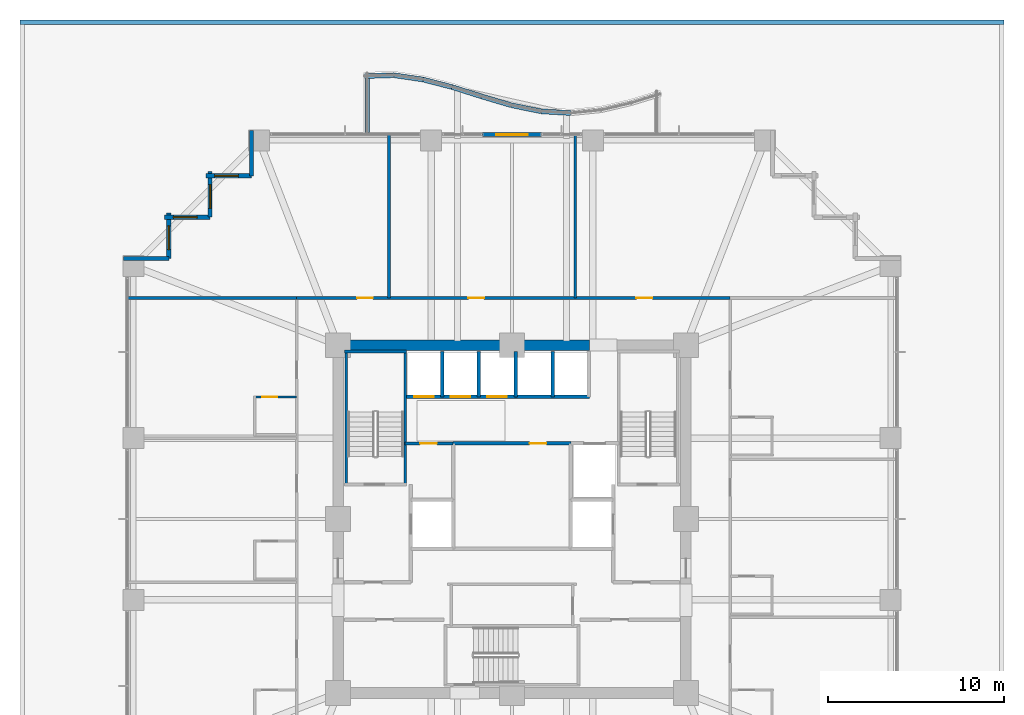
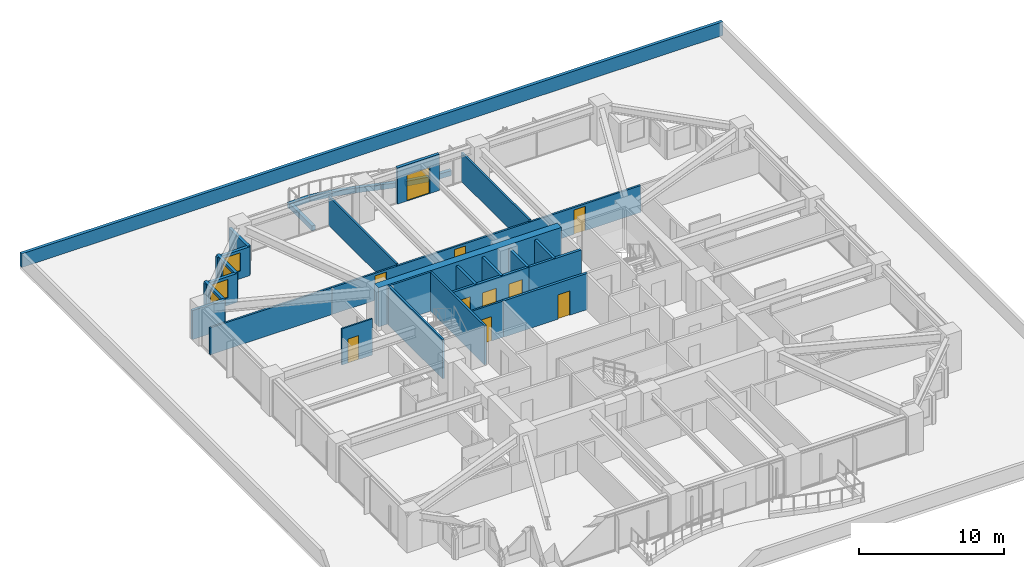
# One storey, part 33 of 36: 33 walls, 10 doors, 4 windows, 14 openings.
"""IFC4 building model written with IfcOpenShell, lengths in metres."""

import ifcopenshell
import ifcopenshell.guid

model = None  # the IFC model being written
_history = None  # IfcOwnerHistory: only IFC2X3 demands one
_inside = {}  # id of a spatial element -> (the spatial element, [elements in it])
_under = {}  # id of a project, library or spatial element -> (it, [spatial elements below it])
_declared = {}  # id of a project -> (the project, [libraries it declares])
_typed = {}  # id of a type object -> (the type object, [elements of that type])
_made_of = {}  # id of a material, layer set ... -> (it, [elements and type objects made of it])


def new_model(schema):
    """Start an empty IFC model of exactly this schema.

    Asked for "IFC4X3", IfcOpenShell would pick the latest addendum, in which some entities
    have other attributes; the version numbers below select the first issue.
    IFC2X3 requires an IfcOwnerHistory on every rooted entity: one is made here for all.
    """
    global model, _history
    if schema == "IFC4X3":
        model = ifcopenshell.file(schema_version=(4, 3, 0, 0))
    else:
        model = ifcopenshell.file(schema=schema)
    _inside.clear()
    _under.clear()
    _declared.clear()
    _typed.clear()
    _made_of.clear()
    _history = None
    if model.schema == "IFC2X3":
        org = make("IfcOrganization", Name="unknown")
        user = make(
            "IfcPersonAndOrganization",
            ThePerson=make("IfcPerson", FamilyName="unknown"),
            TheOrganization=org,
        )
        app = make(
            "IfcApplication",
            ApplicationDeveloper=org,
            Version="unknown",
            ApplicationFullName="unknown",
            ApplicationIdentifier="unknown",
        )
        _history = make(
            "IfcOwnerHistory",
            OwningUser=user,
            OwningApplication=app,
            ChangeAction="ADDED",
            CreationDate=0,
        )
    return model


def make(cls, **values):
    """One entity of the class cls with the attributes given. An attribute that is None is left unset."""
    return model.create_entity(
        cls, **{name: value for name, value in values.items() if value is not None}
    )


def rooted(cls, **values):
    """An entity with a GlobalId (a new one), such as an element, a storey or a relation."""
    return make(cls, GlobalId=ifcopenshell.guid.new(), OwnerHistory=_history, **values)


def si_unit(unit_type, name, prefix=None):
    """IfcSIUnit, for example si_unit("LENGTHUNIT", "METRE", prefix="MILLI")."""
    return make("IfcSIUnit", UnitType=unit_type, Prefix=prefix, Name=name)


def assignment(units):
    """IfcUnitAssignment: the units of a project."""
    return None if units is None else make("IfcUnitAssignment", Units=units)


def point(xyz):
    """IfcCartesianPoint."""
    return None if xyz is None else make("IfcCartesianPoint", Coordinates=xyz)


def direction(xyz):
    """IfcDirection."""
    return None if xyz is None else make("IfcDirection", DirectionRatios=xyz)


def frame(location, z_axis=None, x_axis=None):
    """IfcAxis2Placement3D, a coordinate frame: its origin and axes. An axis left out is left unset."""
    return make(
        "IfcAxis2Placement3D",
        Location=point(location),
        Axis=direction(z_axis),
        RefDirection=direction(x_axis),
    )


def frame_2d(location, x_axis=None):
    """IfcAxis2Placement2D, a coordinate frame in the plane: its origin and x axis."""
    return make(
        "IfcAxis2Placement2D", Location=point(location), RefDirection=direction(x_axis)
    )


def origin():
    """The frame at (0, 0, 0) with its axes left unset."""
    return frame((0.0, 0.0, 0.0))


def place(relative_to, where):
    """IfcLocalPlacement: puts the frame where relative to a parent placement (None: the world)."""
    return make(
        "IfcLocalPlacement", PlacementRelTo=relative_to, RelativePlacement=where
    )


def context(
    kind, dimensions, precision=None, world=None, true_north=None, identifier=None
):
    """IfcGeometricRepresentationContext, for example the 3D "Model" context."""
    return make(
        "IfcGeometricRepresentationContext",
        ContextIdentifier=identifier,
        ContextType=kind,
        CoordinateSpaceDimension=dimensions,
        Precision=precision,
        WorldCoordinateSystem=world,
        TrueNorth=true_north,
    )


def subcontext(parent, identifier, kind, view, scale=None):
    """IfcGeometricRepresentationSubContext, for example "Body" below "Model"."""
    return make(
        "IfcGeometricRepresentationSubContext",
        ContextIdentifier=identifier,
        ContextType=kind,
        ParentContext=parent,
        TargetScale=scale,
        TargetView=view,
    )


def project(units=None, contexts=None):
    """IfcProject with its units and contexts."""
    return rooted(
        "IfcProject",
        Name="project",
        RepresentationContexts=contexts,
        UnitsInContext=assignment(units),
    )


def spatial(cls, under=None, at=None, **own):
    """A site, building, storey or space (cls), placed at a placement, below another one or the project."""
    s = rooted(cls, ObjectPlacement=at, **own)
    if under is not None:
        _under.setdefault(under.id(), (under, []))[1].append(s)
    return s


def profile(cls, at=None, kind="AREA", **sizes):
    """A parametric profile (cls). Its sizes go by their IFC names, for example OverallWidth=200.0."""
    return make(cls, ProfileType=kind, Position=at, **sizes)


def rectangle(**sizes):
    """IfcRectangleProfileDef."""
    return profile("IfcRectangleProfileDef", **sizes)


def extrude(swept, where, along, depth):
    """IfcExtrudedAreaSolid: the profile swept, set in the frame where, extruded along a direction by depth."""
    return make(
        "IfcExtrudedAreaSolid",
        SweptArea=swept,
        Position=where,
        ExtrudedDirection=direction(along),
        Depth=depth,
    )


def shape(context_of_items, identifier, shape_type, items):
    """IfcShapeRepresentation: the items that make up one representation, for example the "Body"."""
    return make(
        "IfcShapeRepresentation",
        ContextOfItems=context_of_items,
        RepresentationIdentifier=identifier,
        RepresentationType=shape_type,
        Items=items,
    )


def material(Name=None, Category=None):
    """IfcMaterial."""
    return make("IfcMaterial", Name=Name, Category=Category)


def layer(
    of_material, thickness, ventilated=None, Name=None, Category=None, Priority=None
):
    """IfcMaterialLayer: one layer of a wall or slab, of a material (None: an air gap)."""
    return make(
        "IfcMaterialLayer",
        Material=of_material,
        LayerThickness=thickness,
        IsVentilated=ventilated,
        Name=Name,
        Category=Category,
        Priority=Priority,
    )


def layer_set(layers, Name=None):
    """IfcMaterialLayerSet."""
    return make("IfcMaterialLayerSet", MaterialLayers=layers, LayerSetName=Name)


def made_of(thing, what):
    """Note that an element or type object is made of a material, layer set ...; save() writes the relation."""
    if what is not None:
        _made_of.setdefault(what.id(), (what, []))[1].append(thing)
    return thing


def type_object(cls, material=None, **own):
    """A type object (cls), such as IfcWallType, which elements share."""
    return made_of(rooted(cls, **own), material)


def element(
    cls,
    number,
    at=None,
    inside=None,
    cuts=None,
    type_object=None,
    material=None,
    context=None,
    identifier="Body",
    shape_type=None,
    held_by="IfcProductDefinitionShape",
    body=None,
    shapes=None,
    **own,
):
    """One element of the class cls, such as IfcWall. Its Tag is "e" and its number.

    at: its placement. inside: the storey or other place that contains it. cuts: it is an
    opening in that element (IfcRelVoidsElement). A single representation is given by context,
    identifier, shape_type and body (its items); several are given by shapes. held_by: the class
    of the entity that holds the representations. save() writes the other relations.
    """
    e = rooted(cls, Tag="e%d" % number, ObjectPlacement=at, **own)
    if body is not None:
        shapes = [shape(context, identifier, shape_type, body)]
    if shapes is not None:
        e.Representation = make(held_by, Representations=shapes)
    if inside is not None:
        _inside.setdefault(inside.id(), (inside, []))[1].append(e)
    if cuts is not None:
        rooted(
            "IfcRelVoidsElement", RelatingBuildingElement=cuts, RelatedOpeningElement=e
        )
    if type_object is not None:
        _typed.setdefault(type_object.id(), (type_object, []))[1].append(e)
    return made_of(e, material)


def fill(opening, filler):
    """IfcRelFillsElement: the door or window that sits in an opening."""
    return rooted(
        "IfcRelFillsElement",
        RelatingOpeningElement=opening,
        RelatedBuildingElement=filler,
    )


def aggregate(whole, parts):
    """IfcRelAggregates: a whole, such as a stair, and the parts it consists of."""
    return rooted("IfcRelAggregates", RelatingObject=whole, RelatedObjects=parts)


def save(model, path):
    """Write the relations noted so far, then the file.

    IfcRelAggregates (storeys below a building ...), IfcRelContainedInSpatialStructure (elements
    in a storey), IfcRelDefinesByType, IfcRelAssociatesMaterial and IfcRelDeclares: one each for
    every whole, place, type object, material and project.
    """
    for whole, parts in _under.values():
        aggregate(whole, parts)
    for where, things in _inside.values():
        rooted(
            "IfcRelContainedInSpatialStructure",
            RelatedElements=things,
            RelatingStructure=where,
        )
    for kind, things in _typed.values():
        rooted("IfcRelDefinesByType", RelatedObjects=things, RelatingType=kind)
    for what, things in _made_of.values():
        rooted("IfcRelAssociatesMaterial", RelatedObjects=things, RelatingMaterial=what)
    for by, libraries in _declared.values():
        rooted("IfcRelDeclares", RelatingContext=by, RelatedDefinitions=libraries)
    model.write(path)


model = new_model("IFC4")

# Units and contexts
model_context = context("Model", 3, precision=1e-05, world=origin(), true_north=direction((0.0, 1.0)))
body_context = subcontext(model_context, "Body", "Model", "MODEL_VIEW")
ifc_project = project(units=[si_unit("LENGTHUNIT", "METRE"), si_unit("AREAUNIT", "SQUARE_METRE"), si_unit("VOLUMEUNIT", "CUBIC_METRE"), si_unit("PLANEANGLEUNIT", "RADIAN"), si_unit("MASSUNIT", "GRAM", prefix="KILO")], contexts=[model_context])

# Site, building, storey
site_placement = place(None, origin())
site = spatial("IfcSite", under=ifc_project, at=site_placement, CompositionType="ELEMENT")
building_placement = place(site_placement, origin())
building = spatial("IfcBuilding", under=site, at=building_placement, Name="Kolvaren Belvedere", CompositionType="ELEMENT")
storey_placement = place(building_placement, frame((0.0, 0.0, 23.800048828125)))
storey = spatial("IfcBuildingStorey", under=building, at=storey_placement, Name="L06", CompositionType="ELEMENT", Elevation=23.800048828125)

# Walls
ifc_material_1 = material(Name="Concrete C60/75", Category="concrete")
ifc_layer_1 = layer(ifc_material_1, 0.60009765625)
ifc_layer_set_1 = layer_set([ifc_layer_1], Name="Concrete C60/75")
wall_type_1 = type_object("IfcWallType", Name="CW-CORE-600", PredefinedType="SHEAR", material=ifc_layer_set_1)
wall_1_placement = place(storey_placement, frame((-10.199951171875, 9.89990234375, 0.0), z_axis=(0.0, 0.0, 1.0), x_axis=(1.0, 0.0, 0.0)))
element("IfcWall", 1, at=wall_1_placement, inside=storey, type_object=wall_type_1, Name="L06 North Core Shear Wall 1", PredefinedType="SHEAR", context=body_context, shape_type="SweptSolid", body=[
    extrude(rectangle(XDim=14.619873046875, YDim=0.60009765625, at=frame_2d((7.31005859375, 0.0))), origin(), (0.0, 0.0, 1.0), 3.300048828125),
])
ifc_material_2 = material(Name="Concrete C50/60", Category="concrete")
ifc_layer_2 = layer(ifc_material_2, 0.159912109375)
ifc_layer_set_2 = layer_set([ifc_layer_2], Name="Concrete C50/60")
wall_type_2 = type_object("IfcWallType", Name="CW-STAIR-160", PredefinedType="SHEAR", material=ifc_layer_set_2)
wall_2_placement = place(storey_placement, frame((-9.52001953125, 9.530029296875, 0.0), z_axis=(0.0, 0.0, 1.0), x_axis=(1.0, 0.0, 0.0)))
element("IfcWall", 2, at=wall_2_placement, inside=storey, type_object=wall_type_2, Name="L06 Stair ST-1 North Shear Wall", PredefinedType="SHEAR", context=body_context, shape_type="SweptSolid", body=[
    extrude(rectangle(XDim=3.52001953125, YDim=0.159912109375, at=frame_2d((1.760009765625, 0.0))), origin(), (0.0, 0.0, 1.0), 3.300048828125),
])
for number, where, z_axis, x_axis, name in (
    (3, (-9.429931640625, 1.969970703125, 0.0), (0.0, 0.0, 1.0), (0.0, 1.0, 0.0), "L06 Stair ST-1 West Shear Wall"),
    (4, (-6.080078125, 1.969970703125, 0.0), (0.0, 0.0, 1.0), (0.0, 1.0, 0.0), "L06 Stair ST-1 East Shear Wall"),
):
    element("IfcWall", number, at=place(storey_placement, frame(where, z_axis=z_axis, x_axis=x_axis)), inside=storey, type_object=wall_type_2, Name=name, PredefinedType="SHEAR", context=body_context, shape_type="SweptSolid", body=[
        extrude(rectangle(XDim=7.56005859375, YDim=0.159912109375, at=frame_2d((3.780029296875, 0.0))), origin(), (0.0, 0.0, 1.0), 3.300048828125),
    ])

# Wall, openings, doors
ifc_material_3 = material(Name="Gypsum fire-rated partition assembly", Category="gypsum")
ifc_layer_3 = layer(ifc_material_3, 0.14990234375)
ifc_layer_set_3 = layer_set([ifc_layer_3], Name="Gypsum fire-rated partition assembly")
wall_type_3 = type_object("IfcWallType", Name="WL-CORR-150", PredefinedType="PARTITIONING", material=ifc_layer_set_3)
wall_3_placement = place(storey_placement, frame((-12.260009765625, 12.580078125, 0.0), z_axis=(0.0, 0.0, 1.0), x_axis=(1.0, 0.0, 0.0)))
wall_3 = element("IfcWall", 5, at=wall_3_placement, inside=storey, type_object=wall_type_3, Name="L06 North Corridor Wall", PredefinedType="PARTITIONING", context=body_context, shape_type="SweptSolid", body=[
    extrude(rectangle(XDim=24.679931640625, YDim=0.14990234375, at=frame_2d((12.33984375, 0.0))), origin(), (0.0, 0.0, 1.0), 2.27197265625),
])
opening_1_placement = place(wall_3_placement, frame((3.4443359375, 0.0, 0.0)))
opening_1 = element("IfcOpeningElement", 6, at=opening_1_placement, cuts=wall_3, Name="Opening D-INT90", PredefinedType="OPENING", context=body_context, shape_type="SweptSolid", body=[
    extrude(rectangle(XDim=0.89990234375, YDim=2.06005859375, at=frame_2d((0.449951171875, 1.030029296875))), frame((0.0, 0.0849609375, 0.0), z_axis=(0.0, -1.0, 0.0), x_axis=(1.0, 0.0, 0.0)), (0.0, 0.0, 1.0), 0.169921875),
])
opening_2_placement = place(wall_3_placement, frame((9.780029296875, 0.0, 0.0)))
opening_2 = element("IfcOpeningElement", 7, at=opening_2_placement, cuts=wall_3, Name="Opening D-INT90", PredefinedType="OPENING", context=body_context, shape_type="SweptSolid", body=[
    extrude(rectangle(XDim=0.89990234375, YDim=2.06005859375, at=frame_2d((0.449951171875, 1.030029296875))), frame((0.0, 0.0849609375, 0.0), z_axis=(0.0, -1.0, 0.0), x_axis=(1.0, 0.0, 0.0)), (0.0, 0.0, 1.0), 0.169921875),
])
opening_3_placement = place(wall_3_placement, frame((19.344970703125, 0.0, 0.0)))
opening_3 = element("IfcOpeningElement", 8, at=opening_3_placement, cuts=wall_3, Name="Opening D-INT90", PredefinedType="OPENING", context=body_context, shape_type="SweptSolid", body=[
    extrude(rectangle(XDim=0.89990234375, YDim=2.06005859375, at=frame_2d((0.449951171875, 1.030029296875))), frame((0.0, 0.0849609375, 0.0), z_axis=(0.0, -1.0, 0.0), x_axis=(1.0, 0.0, 0.0)), (0.0, 0.0, 1.0), 0.169921875),
])
ifc_material_4 = material(Name="Stained Pacific white oak", Category="timber")
door_type_1 = type_object("IfcDoorType", Name="DR-INT-900", OperationType="NOTDEFINED", PredefinedType="DOOR", material=ifc_material_4)
door_1_placement = place(opening_1_placement, origin())
door_1 = element("IfcDoor", 9, at=door_1_placement, inside=storey, type_object=door_type_1, Name="L06 Lounge 612 Door", OperationType="SINGLE_SWING_RIGHT", OverallHeight=2.06005859375, OverallWidth=0.89990234375, PredefinedType="DOOR", context=body_context, shape_type="SweptSolid", body=[
    extrude(rectangle(XDim=0.89990234375, YDim=2.06005859375, at=frame_2d((0.449951171875, 1.030029296875))), frame((0.0, 0.02490234375, 0.0), z_axis=(0.0, -1.0, 0.0), x_axis=(1.0, 0.0, 0.0)), (0.0, 0.0, 1.0), 0.050048828125),
])
fill(opening_1, door_1)
door_2_placement = place(opening_2_placement, origin())
door_2 = element("IfcDoor", 10, at=door_2_placement, inside=storey, type_object=door_type_1, Name="L06 Lounge 613 Door", OperationType="SINGLE_SWING_LEFT", OverallHeight=2.06005859375, OverallWidth=0.89990234375, PredefinedType="DOOR", context=body_context, shape_type="SweptSolid", body=[
    extrude(rectangle(XDim=0.89990234375, YDim=2.06005859375, at=frame_2d((0.449951171875, 1.030029296875))), frame((0.0, 0.02490234375, 0.0), z_axis=(0.0, -1.0, 0.0), x_axis=(1.0, 0.0, 0.0)), (0.0, 0.0, 1.0), 0.050048828125),
])
fill(opening_2, door_2)
door_3_placement = place(opening_3_placement, origin())
door_3 = element("IfcDoor", 11, at=door_3_placement, inside=storey, type_object=door_type_1, Name="L06 Lounge 614 Door", OperationType="SINGLE_SWING_RIGHT", OverallHeight=2.06005859375, OverallWidth=0.89990234375, PredefinedType="DOOR", context=body_context, shape_type="SweptSolid", body=[
    extrude(rectangle(XDim=0.89990234375, YDim=2.06005859375, at=frame_2d((0.449951171875, 1.030029296875))), frame((0.0, 0.02490234375, 0.0), z_axis=(0.0, -1.0, 0.0), x_axis=(1.0, 0.0, 0.0)), (0.0, 0.0, 1.0), 0.050048828125),
])
fill(opening_3, door_3)

# Wall, opening, door
ifc_material_5 = material(Name="Insulated pale-metal facade wall assembly", Category="aluminium")
ifc_layer_4 = layer(ifc_material_5, 0.239990234375)
ifc_layer_set_4 = layer_set([ifc_layer_4], Name="Insulated pale-metal facade wall assembly")
wall_type_4 = type_object("IfcWallType", Name="WL-EXT-240", PredefinedType="STANDARD", material=ifc_layer_set_4)
wall_4_placement = place(storey_placement, frame((-1.679931640625, 21.8798828125, 0.0), z_axis=(0.0, 0.0, 1.0), x_axis=(1.0, 0.0, 0.0)))
wall_4 = element("IfcWall", 12, at=wall_4_placement, inside=storey, type_object=wall_type_4, Name="L06 North Terrace Portal Wall", PredefinedType="STANDARD", context=body_context, shape_type="SweptSolid", body=[
    extrude(rectangle(XDim=3.35986328125, YDim=0.239990234375, at=frame_2d((1.679931640625, 0.0))), origin(), (0.0, 0.0, 1.0), 3.06005859375),
])
opening_4_placement = place(wall_4_placement, frame((0.780029296875, 0.0, 0.0)))
opening_4 = element("IfcOpeningElement", 13, at=opening_4_placement, cuts=wall_4, Name="Opening DB-1800", PredefinedType="OPENING", context=body_context, shape_type="SweptSolid", body=[
    extrude(rectangle(XDim=1.800048828125, YDim=2.199951171875, at=frame_2d((0.89990234375, 1.10009765625))), frame((0.0, 0.1298828125, 0.0), z_axis=(0.0, -1.0, 0.0), x_axis=(1.0, 0.0, 0.0)), (0.0, 0.0, 1.0), 0.260009765625),
])
ifc_material_6 = material(Name="Thermally broken pale-metal aluminium & low-iron glass", Category="aluminium")
door_type_2 = type_object("IfcDoorType", Name="DR-BAL-1800", OperationType="DOUBLE_DOOR_SLIDING", PredefinedType="DOOR", material=ifc_material_6)
door_4_placement = place(opening_4_placement, origin())
door_4 = element("IfcDoor", 14, at=door_4_placement, inside=storey, type_object=door_type_2, Name="L06 North Planted Terrace Sliding Door", OperationType="DOUBLE_DOOR_SLIDING", OverallHeight=2.199951171875, OverallWidth=1.800048828125, PredefinedType="DOOR", context=body_context, shape_type="SweptSolid", body=[
    extrude(rectangle(XDim=1.800048828125, YDim=2.199951171875, at=frame_2d((0.89990234375, 1.10009765625))), frame((0.0, 0.02490234375, 0.0), z_axis=(0.0, -1.0, 0.0), x_axis=(1.0, 0.0, 0.0)), (0.0, 0.0, 1.0), 0.050048828125),
])
fill(opening_4, door_4)

# Wall
wall_5_placement = place(storey_placement, frame((-14.830078125, 19.530029296875, 0.0), z_axis=(0.0, 0.0, 1.0), x_axis=(0.0, 1.0, 0.0)))
element("IfcWall", 15, at=wall_5_placement, inside=storey, type_object=wall_type_4, Name="L06 Serrated Corner Facade Wall 16", PredefinedType="STANDARD", context=body_context, shape_type="SweptSolid", body=[
    extrude(rectangle(XDim=2.590087890625, YDim=0.239990234375, at=frame_2d((1.294921875, 0.0))), origin(), (0.0, 0.0, 1.0), 2.43896484375),
])

# Wall, opening, window
wall_6_placement = place(storey_placement, frame((-17.419921875, 19.530029296875, 0.0), z_axis=(0.0, 0.0, 1.0), x_axis=(1.0, 0.0, 0.0)))
wall_6 = element("IfcWall", 16, at=wall_6_placement, inside=storey, type_object=wall_type_4, Name="L06 Serrated Corner Facade Wall 17", PredefinedType="STANDARD", context=body_context, shape_type="SweptSolid", body=[
    extrude(rectangle(XDim=2.58984375, YDim=0.239990234375, at=frame_2d((1.294921875, 0.0))), origin(), (0.0, 0.0, 1.0), 2.43896484375),
])
opening_5_placement = place(wall_6_placement, frame((0.5, 0.0, 0.64990234375)))
opening_5 = element("IfcOpeningElement", 17, at=opening_5_placement, cuts=wall_6, Name="Opening W-1350", PredefinedType="OPENING", context=body_context, shape_type="SweptSolid", body=[
    extrude(rectangle(XDim=1.35009765625, YDim=1.550048828125, at=frame_2d((0.675048828125, 0.77490234375))), frame((0.0, 0.1298828125, 0.0), z_axis=(0.0, -1.0, 0.0), x_axis=(1.0, 0.0, 0.0)), (0.0, 0.0, 1.0), 0.260009765625),
])
ifc_material_7 = material(Name="Low-iron triple insulated glass", Category="glass")
window_type = type_object("IfcWindowType", Name="WN-CORN-1350", PartitioningType="SINGLE_PANEL", PredefinedType="WINDOW", material=ifc_material_7)
window_1_placement = place(opening_5_placement, origin())
window_1 = element("IfcWindow", 18, at=window_1_placement, inside=storey, type_object=window_type, Name="L06 Serrated Corner Vision Window 17", OverallHeight=1.550048828125, OverallWidth=1.35009765625, PartitioningType="SINGLE_PANEL", PredefinedType="WINDOW", context=body_context, shape_type="SweptSolid", body=[
    extrude(rectangle(XDim=1.35009765625, YDim=1.550048828125, at=frame_2d((0.675048828125, 0.77490234375))), frame((0.0, 0.030029296875, 0.0), z_axis=(0.0, -1.0, 0.0), x_axis=(1.0, 0.0, 0.0)), (0.0, 0.0, 1.0), 0.06005859375),
])
fill(opening_5, window_1)

wall_7_placement = place(storey_placement, frame((-17.179931640625, 17.179931640625, 0.0), z_axis=(0.0, 0.0, 1.0), x_axis=(0.0, 1.0, 0.0)))
wall_7 = element("IfcWall", 19, at=wall_7_placement, inside=storey, type_object=wall_type_4, Name="L06 Serrated Corner Facade Wall 18", PredefinedType="STANDARD", context=body_context, shape_type="SweptSolid", body=[
    extrude(rectangle(XDim=2.590087890625, YDim=0.239990234375, at=frame_2d((1.294921875, 0.0))), origin(), (0.0, 0.0, 1.0), 2.43896484375),
])
opening_6_placement = place(wall_7_placement, frame((0.5, 0.0, 0.64990234375)))
opening_6 = element("IfcOpeningElement", 20, at=opening_6_placement, cuts=wall_7, Name="Opening W-1350", PredefinedType="OPENING", context=body_context, shape_type="SweptSolid", body=[
    extrude(rectangle(XDim=1.35009765625, YDim=1.550048828125, at=frame_2d((0.675048828125, 0.77490234375))), frame((0.0, 0.1298828125, 0.0), z_axis=(0.0, -1.0, 0.0), x_axis=(1.0, 0.0, 0.0)), (0.0, 0.0, 1.0), 0.260009765625),
])
window_2_placement = place(opening_6_placement, origin())
window_2 = element("IfcWindow", 21, at=window_2_placement, inside=storey, type_object=window_type, Name="L06 Serrated Corner Vision Window 18", OverallHeight=1.550048828125, OverallWidth=1.35009765625, PartitioningType="SINGLE_PANEL", PredefinedType="WINDOW", context=body_context, shape_type="SweptSolid", body=[
    extrude(rectangle(XDim=1.35009765625, YDim=1.550048828125, at=frame_2d((0.675048828125, 0.77490234375))), frame((0.0, 0.030029296875, 0.0), z_axis=(0.0, -1.0, 0.0), x_axis=(1.0, 0.0, 0.0)), (0.0, 0.0, 1.0), 0.06005859375),
])
fill(opening_6, window_2)

wall_8_placement = place(storey_placement, frame((-19.77001953125, 17.179931640625, 0.0), z_axis=(0.0, 0.0, 1.0), x_axis=(1.0, 0.0, 0.0)))
wall_8 = element("IfcWall", 22, at=wall_8_placement, inside=storey, type_object=wall_type_4, Name="L06 Serrated Corner Facade Wall 19", PredefinedType="STANDARD", context=body_context, shape_type="SweptSolid", body=[
    extrude(rectangle(XDim=2.590087890625, YDim=0.239990234375, at=frame_2d((1.294921875, 0.0))), origin(), (0.0, 0.0, 1.0), 2.43896484375),
])
opening_7_placement = place(wall_8_placement, frame((0.5, 0.0, 0.64990234375)))
opening_7 = element("IfcOpeningElement", 23, at=opening_7_placement, cuts=wall_8, Name="Opening W-1350", PredefinedType="OPENING", context=body_context, shape_type="SweptSolid", body=[
    extrude(rectangle(XDim=1.35009765625, YDim=1.550048828125, at=frame_2d((0.675048828125, 0.77490234375))), frame((0.0, 0.1298828125, 0.0), z_axis=(0.0, -1.0, 0.0), x_axis=(1.0, 0.0, 0.0)), (0.0, 0.0, 1.0), 0.260009765625),
])
window_3_placement = place(opening_7_placement, origin())
window_3 = element("IfcWindow", 24, at=window_3_placement, inside=storey, type_object=window_type, Name="L06 Serrated Corner Vision Window 19", OverallHeight=1.550048828125, OverallWidth=1.35009765625, PartitioningType="SINGLE_PANEL", PredefinedType="WINDOW", context=body_context, shape_type="SweptSolid", body=[
    extrude(rectangle(XDim=1.35009765625, YDim=1.550048828125, at=frame_2d((0.675048828125, 0.77490234375))), frame((0.0, 0.030029296875, 0.0), z_axis=(0.0, -1.0, 0.0), x_axis=(1.0, 0.0, 0.0)), (0.0, 0.0, 1.0), 0.06005859375),
])
fill(opening_7, window_3)

wall_9_placement = place(storey_placement, frame((-19.530029296875, 14.830078125, 0.0), z_axis=(0.0, 0.0, 1.0), x_axis=(0.0, 1.0, 0.0)))
wall_9 = element("IfcWall", 25, at=wall_9_placement, inside=storey, type_object=wall_type_4, Name="L06 Serrated Corner Facade Wall 20", PredefinedType="STANDARD", context=body_context, shape_type="SweptSolid", body=[
    extrude(rectangle(XDim=2.58984375, YDim=0.239990234375, at=frame_2d((1.294921875, 0.0))), origin(), (0.0, 0.0, 1.0), 2.43896484375),
])
opening_8_placement = place(wall_9_placement, frame((0.5, 0.0, 0.64990234375)))
opening_8 = element("IfcOpeningElement", 26, at=opening_8_placement, cuts=wall_9, Name="Opening W-1350", PredefinedType="OPENING", context=body_context, shape_type="SweptSolid", body=[
    extrude(rectangle(XDim=1.35009765625, YDim=1.550048828125, at=frame_2d((0.675048828125, 0.77490234375))), frame((0.0, 0.1298828125, 0.0), z_axis=(0.0, -1.0, 0.0), x_axis=(1.0, 0.0, 0.0)), (0.0, 0.0, 1.0), 0.260009765625),
])
window_4_placement = place(opening_8_placement, origin())
window_4 = element("IfcWindow", 27, at=window_4_placement, inside=storey, type_object=window_type, Name="L06 Serrated Corner Vision Window 20", OverallHeight=1.550048828125, OverallWidth=1.35009765625, PartitioningType="SINGLE_PANEL", PredefinedType="WINDOW", context=body_context, shape_type="SweptSolid", body=[
    extrude(rectangle(XDim=1.35009765625, YDim=1.550048828125, at=frame_2d((0.675048828125, 0.77490234375))), frame((0.0, 0.030029296875, 0.0), z_axis=(0.0, -1.0, 0.0), x_axis=(1.0, 0.0, 0.0)), (0.0, 0.0, 1.0), 0.06005859375),
])
fill(opening_8, window_4)

# Walls
wall_10_placement = place(storey_placement, frame((-22.1201171875, 14.830078125, 0.0), z_axis=(0.0, 0.0, 1.0), x_axis=(1.0, 0.0, 0.0)))
element("IfcWall", 28, at=wall_10_placement, inside=storey, type_object=wall_type_4, Name="L06 Serrated Corner Facade Wall 21", PredefinedType="STANDARD", context=body_context, shape_type="SweptSolid", body=[
    extrude(rectangle(XDim=2.590087890625, YDim=0.239990234375, at=frame_2d((1.294921875, 0.0))), origin(), (0.0, 0.0, 1.0), 2.43896484375),
])
ifc_material_8 = material(Name="Precast concrete C40/50", Category="concrete")
ifc_layer_5 = layer(ifc_material_8, 0.25)
ifc_layer_set_5 = layer_set([ifc_layer_5], Name="Precast concrete C40/50")
wall_type_5 = type_object("IfcWallType", Name="WL-PARAPET-250", PredefinedType="PARAPET", material=ifc_layer_set_5)
wall_11_placement = place(storey_placement, frame((-28.0, 28.27001953125, 0.0), z_axis=(0.0, 0.0, 1.0), x_axis=(1.0, 0.0, 0.0)))
element("IfcWall", 29, at=wall_11_placement, inside=storey, type_object=wall_type_5, Name="L06 Podium Setback Roof Parapet 3", PredefinedType="PARAPET", context=body_context, shape_type="SweptSolid", body=[
    extrude(rectangle(XDim=56.0, YDim=0.25, at=frame_2d((28.0, 0.0))), origin(), (0.0, 0.0, 1.0), 1.14990234375),
])

# Wall, opening, door
ifc_material_9 = material(Name="Gypsum acoustic partition assembly", Category="gypsum")
ifc_layer_6 = layer(ifc_material_9, 0.14990234375)
ifc_layer_set_6 = layer_set([ifc_layer_6], Name="Gypsum acoustic partition assembly")
wall_type_6 = type_object("IfcWallType", Name="WL-PART-150", PredefinedType="PARTITIONING", material=ifc_layer_set_6)
wall_12_placement = place(storey_placement, frame((-6.080078125, 4.300048828125, 0.0), z_axis=(0.0, 0.0, 1.0), x_axis=(1.0, 0.0, 0.0)))
wall_12 = element("IfcWall", 30, at=wall_12_placement, inside=storey, type_object=wall_type_6, Name="L06 NW Service Room North Wall", PredefinedType="PARTITIONING", context=body_context, shape_type="SweptSolid", body=[
    extrude(rectangle(XDim=2.72998046875, YDim=0.14990234375, at=frame_2d((1.364990234375, 0.0))), origin(), (0.0, 0.0, 1.0), 3.06005859375),
])
opening_9_placement = place(wall_12_placement, frame((0.85009765625, 0.0, 0.0)))
opening_9 = element("IfcOpeningElement", 31, at=opening_9_placement, cuts=wall_12, Name="Opening D-FD60", PredefinedType="OPENING", context=body_context, shape_type="SweptSolid", body=[
    extrude(rectangle(XDim=0.949951171875, YDim=2.06005859375, at=frame_2d((0.47509765625, 1.030029296875))), frame((0.0, 0.0849609375, 0.0), z_axis=(0.0, -1.0, 0.0), x_axis=(1.0, 0.0, 0.0)), (0.0, 0.0, 1.0), 0.169921875),
])
ifc_material_10 = material(Name="Acoustic white-oak fire door leaf", Category="timber")
door_type_3 = type_object("IfcDoorType", Name="DR-FD60-950", OperationType="NOTDEFINED", PredefinedType="DOOR", material=ifc_material_10)
door_5_placement = place(opening_9_placement, origin())
door_5 = element("IfcDoor", 32, at=door_5_placement, inside=storey, type_object=door_type_3, Name="L06 NW Core Store Door", OperationType="SINGLE_SWING_RIGHT", OverallHeight=2.06005859375, OverallWidth=0.949951171875, PredefinedType="DOOR", context=body_context, shape_type="SweptSolid", body=[
    extrude(rectangle(XDim=0.949951171875, YDim=2.06005859375, at=frame_2d((0.47509765625, 1.030029296875))), frame((0.0, 0.02490234375, 0.0), z_axis=(0.0, -1.0, 0.0), x_axis=(1.0, 0.0, 0.0)), (0.0, 0.0, 1.0), 0.050048828125),
])
fill(opening_9, door_5)

# Walls
wall_13_placement = place(storey_placement, frame((-21.97998046875, 12.580078125, 0.0), z_axis=(0.0, 0.0, 1.0), x_axis=(1.0, 0.0, 0.0)))
element("IfcWall", 33, at=wall_13_placement, inside=storey, type_object=wall_type_6, Name="L06 Wing Divider PW-L06-QNW", PredefinedType="PARTITIONING", context=body_context, shape_type="SweptSolid", body=[
    extrude(rectangle(XDim=9.719970703125, YDim=0.14990234375, at=frame_2d((4.85986328125, 0.0))), origin(), (0.0, 0.0, 1.0), 2.27197265625),
])
for number, where, z_axis, x_axis, name in (
    (34, (-7.0, 12.580078125, 0.0), (0.0, 0.0, 1.0), (0.0, 1.0, 0.0), "L06 North Suite Demising Wall 1"),
    (35, (3.60009765625, 12.580078125, 0.0), (0.0, 0.0, 1.0), (0.0, 1.0, 0.0), "L06 North Suite Demising Wall 2"),
):
    element("IfcWall", number, at=place(storey_placement, frame(where, z_axis=z_axis, x_axis=x_axis)), inside=storey, type_object=wall_type_6, Name=name, PredefinedType="PARTITIONING", context=body_context, shape_type="SweptSolid", body=[
        extrude(rectangle(XDim=9.39990234375, YDim=0.14990234375, at=frame_2d((4.699951171875, 0.0))), origin(), (0.0, 0.0, 1.0), 2.428955078125),
    ])
ifc_material_11 = material(Name="Precast concrete C40/50", Category="concrete")
ifc_layer_7 = layer(ifc_material_11, 0.300048828125)
ifc_layer_set_7 = layer_set([ifc_layer_7], Name="Precast concrete C40/50")
wall_type_7 = type_object("IfcWallType", Name="WL-PLANTER-300", PredefinedType="PARAPET", material=ifc_layer_set_7)
wall_14_placement = place(storey_placement, frame((3.350341796875, 23.102294921875, -0.06005859375), z_axis=(0.0, 0.0, 1.0), x_axis=(-0.998203631072, 0.059912527196, 0.0)))
element("IfcWall", 36, at=wall_14_placement, inside=storey, type_object=wall_type_7, Name="L06 Precast Structural Planter Wall BAL-N-15", PredefinedType="PARAPET", context=body_context, shape_type="SweptSolid", body=[
    extrude(rectangle(XDim=1.682861328125, YDim=0.280029296875, at=frame_2d((0.84130859375, 0.0))), origin(), (0.0, 0.0, 1.0), 0.419921875),
])
wall_15_placement = place(storey_placement, frame((1.64794921875, 23.2060546875, -0.06005859375), z_axis=(0.0, 0.0, 1.0), x_axis=(-0.979867779516, 0.199647526069, 0.0)))
element("IfcWall", 37, at=wall_15_placement, inside=storey, type_object=wall_type_7, Name="L06 Precast Structural Planter Wall BAL-N-16", PredefinedType="PARAPET", context=body_context, shape_type="SweptSolid", body=[
    extrude(rectangle(XDim=1.71435546875, YDim=0.280029296875, at=frame_2d((0.857177734375, 0.0))), origin(), (0.0, 0.0, 1.0), 0.419921875),
])
wall_16_placement = place(storey_placement, frame((-0.045654296875, 23.5517578125, -0.06005859375), z_axis=(0.0, 0.0, 1.0), x_axis=(-0.958525043221, 0.28500831833, 0.0)))
element("IfcWall", 38, at=wall_16_placement, inside=storey, type_object=wall_type_7, Name="L06 Precast Structural Planter Wall BAL-N-17", PredefinedType="PARAPET", context=body_context, shape_type="SweptSolid", body=[
    extrude(rectangle(XDim=1.752685546875, YDim=0.280029296875, at=frame_2d((0.87646484375, 0.0))), origin(), (0.0, 0.0, 1.0), 0.419921875),
])
wall_17_placement = place(storey_placement, frame((-1.728515625, 24.052001953125, -0.06005859375), z_axis=(0.0, 0.0, 1.0), x_axis=(-0.953142020151, 0.302523204768, 0.0)))
element("IfcWall", 39, at=wall_17_placement, inside=storey, type_object=wall_type_7, Name="L06 Precast Structural Planter Wall BAL-N-18", PredefinedType="PARAPET", context=body_context, shape_type="SweptSolid", body=[
    extrude(rectangle(XDim=1.762451171875, YDim=0.280029296875, at=frame_2d((0.88134765625, 0.0))), origin(), (0.0, 0.0, 1.0), 0.419921875),
])
wall_18_placement = place(storey_placement, frame((-3.400146484375, 24.582763671875, -0.06005859375), z_axis=(0.0, 0.0, 1.0), x_axis=(-0.968132209145, 0.250439664624, 0.0)))
element("IfcWall", 40, at=wall_18_placement, inside=storey, type_object=wall_type_7, Name="L06 Precast Structural Planter Wall BAL-N-19", PredefinedType="PARAPET", context=body_context, shape_type="SweptSolid", body=[
    extrude(rectangle(XDim=1.7353515625, YDim=0.280029296875, at=frame_2d((0.86767578125, 0.0))), origin(), (0.0, 0.0, 1.0), 0.419921875),
])
wall_19_placement = place(storey_placement, frame((-5.063232421875, 25.013916015625, -0.06005859375), z_axis=(0.0, 0.0, 1.0), x_axis=(-0.98929818871, 0.145907826437, 0.0)))
element("IfcWall", 41, at=wall_19_placement, inside=storey, type_object=wall_type_7, Name="L06 Precast Structural Planter Wall BAL-N-20", PredefinedType="PARAPET", context=body_context, shape_type="SweptSolid", body=[
    extrude(rectangle(XDim=1.6982421875, YDim=0.280029296875, at=frame_2d((0.84912109375, 0.0))), origin(), (0.0, 0.0, 1.0), 0.419921875),
])
wall_20_placement = place(storey_placement, frame((-6.715087890625, 25.260009765625, -0.06005859375), z_axis=(0.0, 0.0, 1.0), x_axis=(-0.999507673088, -0.031375331694, 0.0)))
element("IfcWall", 42, at=wall_20_placement, inside=storey, type_object=wall_type_7, Name="L06 Precast Structural Planter Wall BAL-N-21", PredefinedType="PARAPET", context=body_context, shape_type="SweptSolid", body=[
    extrude(rectangle(XDim=1.6806640625, YDim=0.280029296875, at=frame_2d((0.84033203125, 0.0))), origin(), (0.0, 0.0, 1.0), 0.419921875),
])
wall_21_placement = place(storey_placement, frame((-8.239990234375, 25.3671875, -0.06005859375), z_axis=(0.0, 0.0, 1.0), x_axis=(0.0, -1.0, 0.0)))
element("IfcWall", 43, at=wall_21_placement, inside=storey, type_object=wall_type_7, Name="L06 Precast Structural Planter Wall BAL-N-22", PredefinedType="PARAPET", context=body_context, shape_type="SweptSolid", body=[
    extrude(rectangle(XDim=3.3671875, YDim=0.280029296875, at=frame_2d((1.68359375, 0.0))), origin(), (0.0, 0.0, 1.0), 0.419921875),
])

# Wall, openings, doors
ifc_material_12 = material(Name="Concrete C50/60", Category="concrete")
ifc_layer_8 = layer(ifc_material_12, 0.199951171875)
ifc_layer_set_8 = layer_set([ifc_layer_8], Name="Concrete C50/60")
wall_type_8 = type_object("IfcWallType", Name="WL-SHAFT-200", PredefinedType="SOLIDWALL", material=ifc_layer_set_8)
wall_22_placement = place(storey_placement, frame((-6.080078125, 6.949951171875, 0.0), z_axis=(0.0, 0.0, 1.0), x_axis=(1.0, 0.0, 0.0)))
wall_22 = element("IfcWall", 44, at=wall_22_placement, inside=storey, type_object=wall_type_8, Name="L06 Low-Rise Lift Bank Front Wall", PredefinedType="SOLIDWALL", context=body_context, shape_type="SweptSolid", body=[
    extrude(rectangle(XDim=6.300048828125, YDim=0.199951171875, at=frame_2d((3.14990234375, 0.0))), origin(), (0.0, 0.0, 1.0), 3.06005859375),
])
opening_10_placement = place(wall_22_placement, frame((0.52001953125, 0.0, 0.0)))
opening_10 = element("IfcOpeningElement", 45, at=opening_10_placement, cuts=wall_22, Name="Opening LD-11", PredefinedType="OPENING", context=body_context, shape_type="SweptSolid", body=[
    extrude(rectangle(XDim=1.10009765625, YDim=2.199951171875, at=frame_2d((0.550048828125, 1.10009765625))), frame((0.0, 0.10986328125, 0.0), z_axis=(0.0, -1.0, 0.0), x_axis=(1.0, 0.0, 0.0)), (0.0, 0.0, 1.0), 0.219970703125),
])
opening_11_placement = place(wall_22_placement, frame((2.60009765625, 0.0, 0.0)))
opening_11 = element("IfcOpeningElement", 46, at=opening_11_placement, cuts=wall_22, Name="Opening LD-11", PredefinedType="OPENING", context=body_context, shape_type="SweptSolid", body=[
    extrude(rectangle(XDim=1.10009765625, YDim=2.199951171875, at=frame_2d((0.550048828125, 1.10009765625))), frame((0.0, 0.10986328125, 0.0), z_axis=(0.0, -1.0, 0.0), x_axis=(1.0, 0.0, 0.0)), (0.0, 0.0, 1.0), 0.219970703125),
])
opening_12_placement = place(wall_22_placement, frame((4.679931640625, 0.0, 0.0)))
opening_12 = element("IfcOpeningElement", 47, at=opening_12_placement, cuts=wall_22, Name="Opening LD-11", PredefinedType="OPENING", context=body_context, shape_type="SweptSolid", body=[
    extrude(rectangle(XDim=1.10009765625, YDim=2.199951171875, at=frame_2d((0.550048828125, 1.10009765625))), frame((0.0, 0.10986328125, 0.0), z_axis=(0.0, -1.0, 0.0), x_axis=(1.0, 0.0, 0.0)), (0.0, 0.0, 1.0), 0.219970703125),
])
ifc_material_13 = material(Name="Brushed stainless steel", Category="steel")
door_type_4 = type_object("IfcDoorType", Name="DR-LIFT-1100", OperationType="DOUBLE_DOOR_SLIDING", PredefinedType="DOOR", material=ifc_material_13)
door_6_placement = place(opening_10_placement, origin())
door_6 = element("IfcDoor", 48, at=door_6_placement, inside=storey, type_object=door_type_4, Name="L06 Passenger Lift P1 Landing Door", OperationType="DOUBLE_DOOR_SLIDING", OverallHeight=2.199951171875, OverallWidth=1.10009765625, PredefinedType="DOOR", context=body_context, shape_type="SweptSolid", body=[
    extrude(rectangle(XDim=1.10009765625, YDim=2.199951171875, at=frame_2d((0.550048828125, 1.10009765625))), frame((0.0, 0.02490234375, 0.0), z_axis=(0.0, -1.0, 0.0), x_axis=(1.0, 0.0, 0.0)), (0.0, 0.0, 1.0), 0.050048828125),
])
fill(opening_10, door_6)
door_7_placement = place(opening_11_placement, origin())
door_7 = element("IfcDoor", 49, at=door_7_placement, inside=storey, type_object=door_type_4, Name="L06 Passenger Lift P2 Landing Door", OperationType="DOUBLE_DOOR_SLIDING", OverallHeight=2.199951171875, OverallWidth=1.10009765625, PredefinedType="DOOR", context=body_context, shape_type="SweptSolid", body=[
    extrude(rectangle(XDim=1.10009765625, YDim=2.199951171875, at=frame_2d((0.550048828125, 1.10009765625))), frame((0.0, 0.02490234375, 0.0), z_axis=(0.0, -1.0, 0.0), x_axis=(1.0, 0.0, 0.0)), (0.0, 0.0, 1.0), 0.050048828125),
])
fill(opening_11, door_7)
door_8_placement = place(opening_12_placement, origin())
door_8 = element("IfcDoor", 50, at=door_8_placement, inside=storey, type_object=door_type_4, Name="L06 Passenger Lift P3 Landing Door", OperationType="DOUBLE_DOOR_SLIDING", OverallHeight=2.199951171875, OverallWidth=1.10009765625, PredefinedType="DOOR", context=body_context, shape_type="SweptSolid", body=[
    extrude(rectangle(XDim=1.10009765625, YDim=2.199951171875, at=frame_2d((0.550048828125, 1.10009765625))), frame((0.0, 0.02490234375, 0.0), z_axis=(0.0, -1.0, 0.0), x_axis=(1.0, 0.0, 0.0)), (0.0, 0.0, 1.0), 0.050048828125),
])
fill(opening_12, door_8)

# Walls
for number, where, z_axis, x_axis, name in (
    (51, (-3.969970703125, 6.949951171875, 0.0), (0.0, 0.0, 1.0), (0.0, 1.0, 0.0), "L06 Low-Rise Hoistway Divider 1"),
    (52, (-1.889892578125, 6.949951171875, 0.0), (0.0, 0.0, 1.0), (0.0, 1.0, 0.0), "L06 Low-Rise Hoistway Divider 2"),
    (53, (0.2099609375, 6.949951171875, 0.0), (0.0, 0.0, 1.0), (0.0, 1.0, 0.0), "L06 Low-Rise Hoistway Divider 3"),
):
    element("IfcWall", number, at=place(storey_placement, frame(where, z_axis=z_axis, x_axis=x_axis)), inside=storey, type_object=wall_type_8, Name=name, PredefinedType="SOLIDWALL", context=body_context, shape_type="SweptSolid", body=[
        extrude(rectangle(XDim=2.570068359375, YDim=0.199951171875, at=frame_2d((1.28515625, 0.0))), origin(), (0.0, 0.0, 1.0), 3.06005859375),
    ])
wall_23_placement = place(storey_placement, frame((0.219970703125, 6.949951171875, 0.0), z_axis=(0.0, 0.0, 1.0), x_axis=(1.0, 0.0, 0.0)))
element("IfcWall", 54, at=wall_23_placement, inside=storey, type_object=wall_type_8, Name="L06 Express Shuttle Hoistway Wall", PredefinedType="SOLIDWALL", context=body_context, shape_type="SweptSolid", body=[
    extrude(rectangle(XDim=4.179931640625, YDim=0.199951171875, at=frame_2d((2.08984375, 0.0))), origin(), (0.0, 0.0, 1.0), 3.06005859375),
])
wall_24_placement = place(storey_placement, frame((2.31005859375, 6.949951171875, 0.0), z_axis=(0.0, 0.0, 1.0), x_axis=(0.0, 1.0, 0.0)))
element("IfcWall", 55, at=wall_24_placement, inside=storey, type_object=wall_type_8, Name="L06 Express Shuttle Divider", PredefinedType="SOLIDWALL", context=body_context, shape_type="SweptSolid", body=[
    extrude(rectangle(XDim=2.570068359375, YDim=0.199951171875, at=frame_2d((1.28515625, 0.0))), origin(), (0.0, 0.0, 1.0), 3.06005859375),
])

# Wall, opening, door
wall_25_placement = place(storey_placement, frame((-3.35009765625, 4.300048828125, 0.0), z_axis=(0.0, 0.0, 1.0), x_axis=(1.0, 0.0, 0.0)))
wall_25 = element("IfcWall", 56, at=wall_25_placement, inside=storey, type_object=wall_type_8, Name="L06 Central Core Room North Wall", PredefinedType="SOLIDWALL", context=body_context, shape_type="SweptSolid", body=[
    extrude(rectangle(XDim=6.7001953125, YDim=0.199951171875, at=frame_2d((3.35009765625, 0.0))), origin(), (0.0, 0.0, 1.0), 3.06005859375),
])
opening_13_placement = place(wall_25_placement, frame((4.35009765625, 0.0, 0.0)))
opening_13 = element("IfcOpeningElement", 57, at=opening_13_placement, cuts=wall_25, Name="Opening D-FD60", PredefinedType="OPENING", context=body_context, shape_type="SweptSolid", body=[
    extrude(rectangle(XDim=0.949951171875, YDim=2.06005859375, at=frame_2d((0.47509765625, 1.030029296875))), frame((0.0, 0.10986328125, 0.0), z_axis=(0.0, -1.0, 0.0), x_axis=(1.0, 0.0, 0.0)), (0.0, 0.0, 1.0), 0.219970703125),
])
door_9_placement = place(opening_13_placement, origin())
door_9 = element("IfcDoor", 58, at=door_9_placement, inside=storey, type_object=door_type_3, Name="L06 Central Core Controls Door", OperationType="SINGLE_SWING_LEFT", OverallHeight=2.06005859375, OverallWidth=0.949951171875, PredefinedType="DOOR", context=body_context, shape_type="SweptSolid", body=[
    extrude(rectangle(XDim=0.949951171875, YDim=2.06005859375, at=frame_2d((0.47509765625, 1.030029296875))), frame((0.0, 0.02490234375, 0.0), z_axis=(0.0, -1.0, 0.0), x_axis=(1.0, 0.0, 0.0)), (0.0, 0.0, 1.0), 0.050048828125),
])
fill(opening_13, door_9)

ifc_material_14 = material(Name="Moisture-resistant gypsum partition", Category="gypsum")
ifc_layer_9 = layer(ifc_material_14, 0.125)
ifc_layer_set_9 = layer_set([ifc_layer_9], Name="Moisture-resistant gypsum partition")
wall_type_9 = type_object("IfcWallType", Name="WL-WET-125", PredefinedType="PARTITIONING", material=ifc_layer_set_9)
wall_26_placement = place(storey_placement, frame((-14.715087890625, 6.945068359375, 0.0), z_axis=(0.0, 0.0, 1.0), x_axis=(1.0, 0.0, 0.0)))
wall_26 = element("IfcWall", 59, at=wall_26_placement, inside=storey, type_object=wall_type_9, Name="L06 Bathroom Partition PW-L06-BTH-11-N", PredefinedType="PARTITIONING", context=body_context, shape_type="SweptSolid", body=[
    extrude(rectangle(XDim=2.440185546875, YDim=0.125, at=frame_2d((1.22021484375, 0.0))), origin(), (0.0, 0.0, 1.0), 3.06005859375),
])
opening_14_placement = place(wall_26_placement, frame((0.5, 0.0, 0.0)))
opening_14 = element("IfcOpeningElement", 60, at=opening_14_placement, cuts=wall_26, Name="Opening D-BTH85", PredefinedType="OPENING", context=body_context, shape_type="SweptSolid", body=[
    extrude(rectangle(XDim=0.85009765625, YDim=2.030029296875, at=frame_2d((0.425048828125, 1.01513671875))), frame((0.0, 0.072509765625, 0.0), z_axis=(0.0, -1.0, 0.0), x_axis=(1.0, 0.0, 0.0)), (0.0, 0.0, 1.0), 0.14501953125),
])
ifc_material_15 = material(Name="Moisture-sealed Pacific white oak", Category="timber")
door_type_5 = type_object("IfcDoorType", Name="DR-BATH-850", OperationType="NOTDEFINED", PredefinedType="DOOR", material=ifc_material_15)
door_10_placement = place(opening_14_placement, origin())
door_10 = element("IfcDoor", 61, at=door_10_placement, inside=storey, type_object=door_type_5, Name="L06 En-Suite Bathroom 611 Door", OperationType="SINGLE_SWING_RIGHT", OverallHeight=2.030029296875, OverallWidth=0.85009765625, PredefinedType="DOOR", context=body_context, shape_type="SweptSolid", body=[
    extrude(rectangle(XDim=0.85009765625, YDim=2.030029296875, at=frame_2d((0.425048828125, 1.01513671875))), frame((0.0, 0.02490234375, 0.0), z_axis=(0.0, -1.0, 0.0), x_axis=(1.0, 0.0, 0.0)), (0.0, 0.0, 1.0), 0.050048828125),
])
fill(opening_14, door_10)

save(model, "model.ifc")
